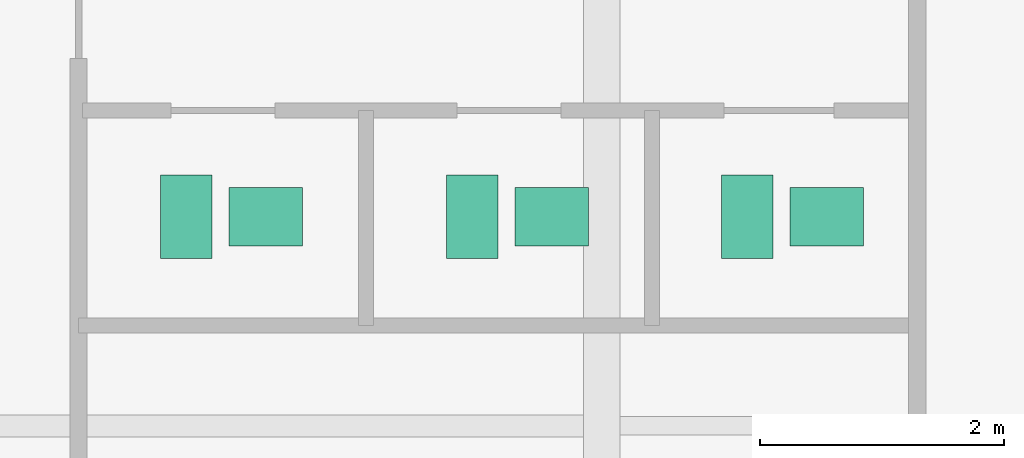
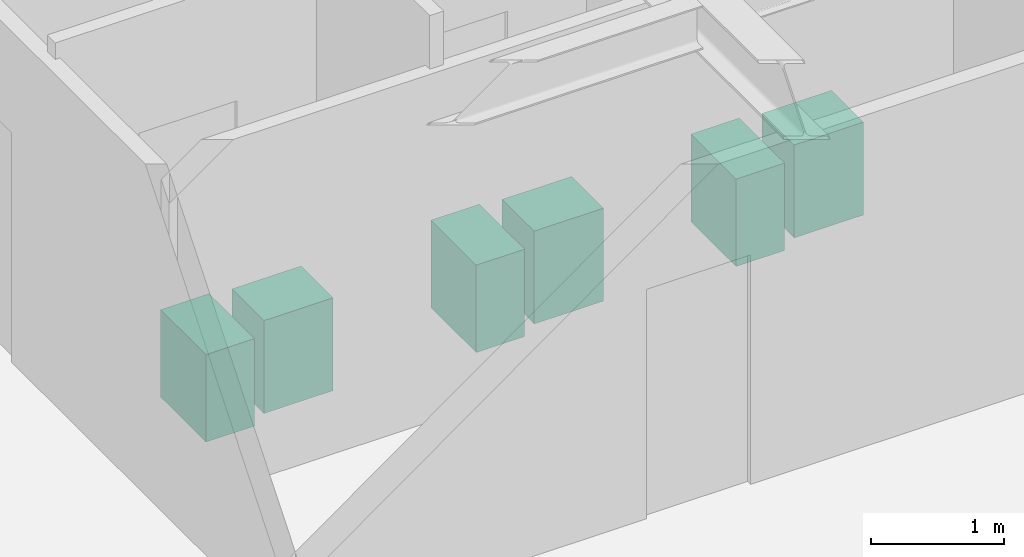
# One storey, part 26 of 26: 6 sanitary terminals.
"""IFC4 building model written with IfcOpenShell, lengths in metres."""

from ifc_helpers import new_model, si_unit, direction, frame, origin, origin_2d, place, context, subcontext, project, spatial, rectangle, extrude, source, transform, mapped, material, type_object, type_shapes, element, save


model = new_model("IFC4")

# Units and contexts
model_context = context("Model", 3, precision=1e-05, world=origin(), true_north=direction((0.0, 1.0)))
body_context = subcontext(model_context, "Body", "Model", "MODEL_VIEW")
ifc_project = project(units=[si_unit("LENGTHUNIT", "METRE"), si_unit("AREAUNIT", "SQUARE_METRE"), si_unit("VOLUMEUNIT", "CUBIC_METRE"), si_unit("PLANEANGLEUNIT", "RADIAN"), si_unit("MASSUNIT", "GRAM", prefix="KILO")], contexts=[model_context])

# Site, building, storey
site_placement = place(None, origin())
site = spatial("IfcSite", under=ifc_project, at=site_placement, CompositionType="ELEMENT")
building_placement = place(site_placement, origin())
building = spatial("IfcBuilding", under=site, at=building_placement, Name="Krantzveldt Concourse Tower", CompositionType="ELEMENT")
storey_placement = place(building_placement, frame((0.0, 0.0, 223.10009765625)))
storey = spatial("IfcBuildingStorey", under=building, at=storey_placement, Name="L54", CompositionType="ELEMENT", Elevation=223.10009765625)

# Sanitary terminals
ifc_material = material(Name="Vitreous china", Category="ceramic")
sanitary_terminal_type_1 = type_object("IfcSanitaryTerminalType", Name="SAN-WC-SUITE", PredefinedType="TOILETPAN", material=ifc_material)
shared_shape_1 = source(origin(), body_context, "Body", "SweptSolid", [
    extrude(rectangle(XDim=0.419921875, YDim=0.679931640625, at=origin_2d()), origin(), (0.0, 0.0, 1.0), 0.800048828125),
])
type_shapes(sanitary_terminal_type_1, [shared_shape_1])
for number, where, z_axis, x_axis, name in (
    (1, (38.0, 31.909912109375, 0.0), (0.0, 0.0, 1.0), (1.0, 0.0, 0.0), "WC-SP-L54-WCM"),
    (2, (40.340087890625, 31.909912109375, 0.0), (0.0, 0.0, 1.0), (1.0, 0.0, 0.0), "WC-SP-L54-WCF"),
    (3, (42.590087890625, 31.909912109375, 0.0), (0.0, 0.0, 1.0), (1.0, 0.0, 0.0), "WC-SP-L54-WCA"),
):
    element("IfcSanitaryTerminal", number, at=place(storey_placement, frame(where, z_axis=z_axis, x_axis=x_axis)), inside=storey, type_object=sanitary_terminal_type_1, Name=name, PredefinedType="TOILETPAN", context=body_context, shape_type="MappedRepresentation", body=[
        mapped(shared_shape_1, transform((0.0, 0.0, 0.0), x_axis=(1.0, 0.0, 0.0), y_axis=(0.0, 1.0, 0.0), z_axis=(0.0, 0.0, 1.0), scale=1.0)),
    ])
sanitary_terminal_type_2 = type_object("IfcSanitaryTerminalType", Name="SAN-BASIN-600", PredefinedType="WASHHANDBASIN", material=ifc_material)
shared_shape_2 = source(origin(), body_context, "Body", "SweptSolid", [
    extrude(rectangle(XDim=0.60009765625, YDim=0.47998046875, at=origin_2d()), origin(), (0.0, 0.0, 1.0), 0.85009765625),
])
type_shapes(sanitary_terminal_type_2, [shared_shape_2])
for number, where, z_axis, x_axis, name in (
    (4, (38.64990234375, 31.909912109375, 0.0048828125), (0.0, 0.0, 1.0), (1.0, 0.0, 0.0), "BSN-SP-L54-WCM"),
    (5, (40.989990234375, 31.909912109375, 0.0048828125), (0.0, 0.0, 1.0), (1.0, 0.0, 0.0), "BSN-SP-L54-WCF"),
    (6, (43.239990234375, 31.909912109375, 0.0048828125), (0.0, 0.0, 1.0), (1.0, 0.0, 0.0), "BSN-SP-L54-WCA"),
):
    element("IfcSanitaryTerminal", number, at=place(storey_placement, frame(where, z_axis=z_axis, x_axis=x_axis)), inside=storey, type_object=sanitary_terminal_type_2, Name=name, PredefinedType="WASHHANDBASIN", context=body_context, shape_type="MappedRepresentation", body=[
        mapped(shared_shape_2, transform((0.0, 0.0, 0.0), x_axis=(1.0, 0.0, 0.0), y_axis=(0.0, 1.0, 0.0), z_axis=(0.0, 0.0, 1.0), scale=1.0)),
    ])

save(model, "model.ifc")
